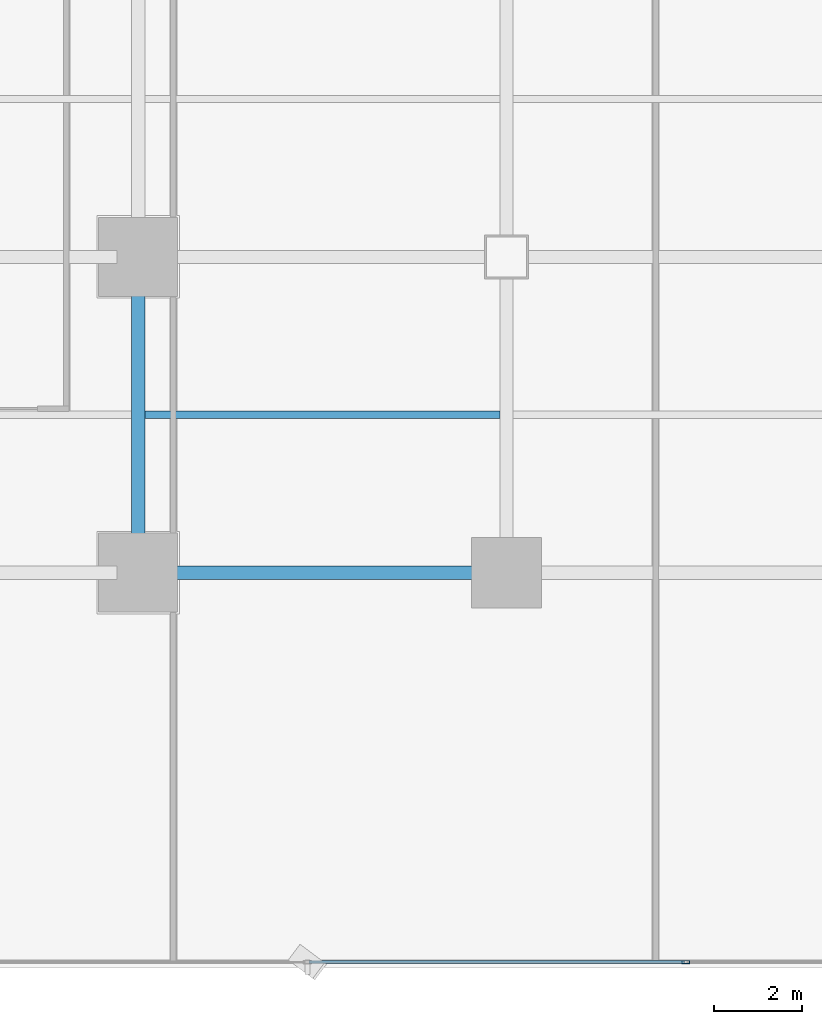
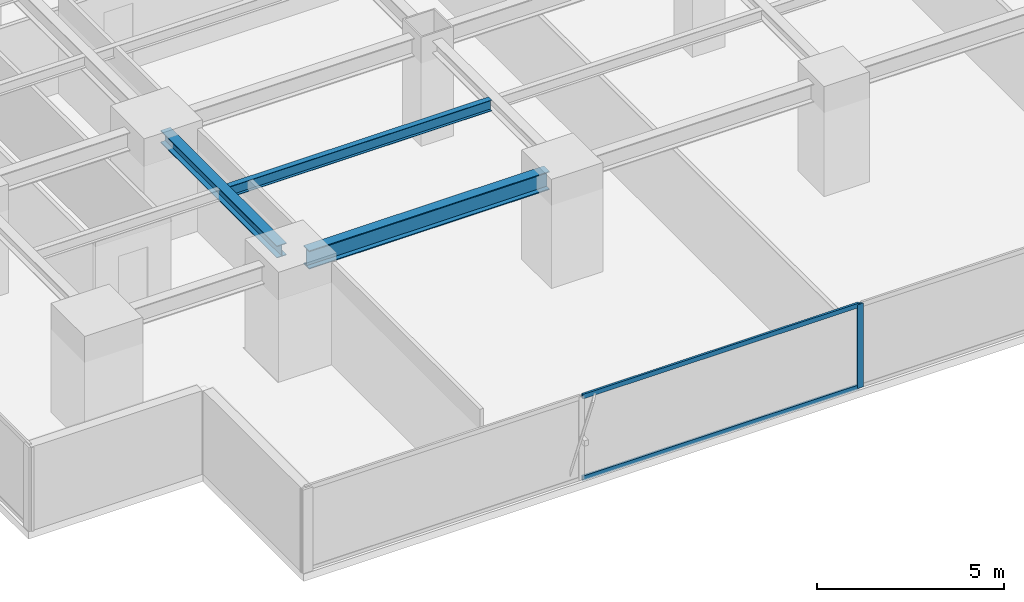
# One storey, part 4 of 33: 3 beams, 3 members, 1 element without a shape of its own.
"""IFC4 building model written with IfcOpenShell, lengths in metres."""

from ifc_helpers import new_model, si_unit, direction, frame, origin, origin_2d, place, context, subcontext, project, spatial, hollow_rectangle, i_section, extrude, source, transform, mapped, material, layer, layer_set, material_profile, profile_set, type_object, element, aggregate, save


model = new_model("IFC4")

# Units and contexts
model_context = context("Model", 3, precision=1e-05, world=origin(), true_north=direction((0.0, 1.0)))
body_context = subcontext(model_context, "Body", "Model", "MODEL_VIEW")
ifc_project = project(units=[si_unit("LENGTHUNIT", "METRE"), si_unit("AREAUNIT", "SQUARE_METRE"), si_unit("VOLUMEUNIT", "CUBIC_METRE"), si_unit("PLANEANGLEUNIT", "RADIAN"), si_unit("MASSUNIT", "GRAM", prefix="KILO")], contexts=[model_context])

# Site, building, storey
site_placement = place(None, origin())
site = spatial("IfcSite", under=ifc_project, at=site_placement, CompositionType="ELEMENT")
building_placement = place(site_placement, origin())
building = spatial("IfcBuilding", under=site, at=building_placement, Name="Sumidabori Civic Tower", CompositionType="ELEMENT")
storey_placement = place(building_placement, frame((0.0, 0.0, 30.800048828125)))
storey = spatial("IfcBuildingStorey", under=building, at=storey_placement, Name="L07", CompositionType="ELEMENT", Elevation=30.800048828125)

# Beams
ifc_material_1 = material(Name="Steel SN490", Category="steel")
ifc_material_profile_1 = material_profile(ifc_material_1, i_section(OverallWidth=0.300048828125, OverallDepth=0.60009765625, WebThickness=0.015380859375, FlangeThickness=0.030029296875, at=origin_2d()), Name="HE 600 B")
ifc_profile_set_1 = profile_set([ifc_material_profile_1], Name="Steel SN490")
beam_type_1 = type_object("IfcBeamType", Name="BM-GIRD-600", PredefinedType="BEAM", material=ifc_profile_set_1)
shared_shape_1 = source(origin(), body_context, "Body", "SweptSolid", [
    extrude(i_section(OverallWidth=0.300048828125, OverallDepth=0.60009765625, WebThickness=0.015380859375, FlangeThickness=0.030029296875, at=origin_2d()), origin(), (0.0, 0.0, 1.0), 7.440185546875),
])
beam_1_placement = place(storey_placement, frame((-16.320068359375, -18.0, 3.06005859375), z_axis=(1.0, 0.0, 0.0), x_axis=(0.0, 1.0, 0.0)))
element("IfcBeam", 1, at=beam_1_placement, inside=storey, type_object=beam_type_1, Name="Primary Girder L07 GX-02", PredefinedType="BEAM", context=body_context, shape_type="MappedRepresentation", body=[
    mapped(shared_shape_1, transform((0.0, 0.0, 0.0), x_axis=(1.0, 0.0, 0.0), y_axis=(0.0, 1.0, 0.0), z_axis=(0.0, 0.0, 1.0), scale=1.0)),
])
ifc_material_profile_2 = material_profile(ifc_material_1, i_section(OverallWidth=0.300048828125, OverallDepth=0.39990234375, WebThickness=0.013427734375, FlangeThickness=0.02392578125, at=origin_2d()), Name="HE 400 B")
ifc_profile_set_2 = profile_set([ifc_material_profile_2], Name="Steel SN490")
beam_type_2 = type_object("IfcBeamType", Name="BM-GIRD-400", PredefinedType="BEAM", material=ifc_profile_set_2)
shared_shape_2 = source(origin(), body_context, "Body", "SweptSolid", [
    extrude(i_section(OverallWidth=0.300048828125, OverallDepth=0.39990234375, WebThickness=0.013427734375, FlangeThickness=0.02392578125, at=origin_2d()), origin(), (0.0, 0.0, 1.0), 6.239990234375),
])
beam_2_placement = place(storey_placement, frame((-16.800048828125, -17.52001953125, 3.159912109375), z_axis=(0.0, 1.0, 0.0), x_axis=(-1.0, 0.0, 0.0)))
element("IfcBeam", 2, at=beam_2_placement, inside=storey, type_object=beam_type_2, Name="Primary Girder L07 GY-25", PredefinedType="BEAM", context=body_context, shape_type="MappedRepresentation", body=[
    mapped(shared_shape_2, transform((0.0, 0.0, 0.0), x_axis=(1.0, 0.0, 0.0), y_axis=(0.0, 1.0, 0.0), z_axis=(0.0, 0.0, 1.0), scale=1.0)),
])
ifc_material_profile_3 = material_profile(ifc_material_1, i_section(OverallWidth=0.169921875, OverallDepth=0.360107421875, WebThickness=0.008056640625, FlangeThickness=0.0126953125, at=origin_2d()), Name="IPE 360")
ifc_profile_set_3 = profile_set([ifc_material_profile_3], Name="Steel SN490")
beam_type_3 = type_object("IfcBeamType", Name="BM-JST-360", PredefinedType="JOIST", material=ifc_profile_set_3)
shared_shape_3 = source(origin(), body_context, "Body", "SweptSolid", [
    extrude(i_section(OverallWidth=0.169921875, OverallDepth=0.360107421875, WebThickness=0.008056640625, FlangeThickness=0.0126953125, at=origin_2d()), origin(), (0.0, 0.0, 1.0), 8.099853515625),
])
beam_3_placement = place(storey_placement, frame((-16.64990234375, -14.39990234375, 3.179931640625), z_axis=(1.0, 0.0, 0.0), x_axis=(0.0, 1.0, 0.0)))
element("IfcBeam", 3, at=beam_3_placement, inside=storey, type_object=beam_type_3, Name="South Bay Floor Joist L07 JSTS-61", PredefinedType="JOIST", context=body_context, shape_type="MappedRepresentation", body=[
    mapped(shared_shape_3, transform((0.0, 0.0, 0.0), x_axis=(1.0, 0.0, 0.0), y_axis=(0.0, 1.0, 0.0), z_axis=(0.0, 0.0, 1.0), scale=1.0)),
])

# Curtain wall, members
ifc_material_2 = material(Name="Anodised Bronze Aluminium AW-6063-T6", Category="aluminium")
ifc_layer = layer(ifc_material_2, 0.179931640625, Name="Anodised Bronze Aluminium AW-6063-T6")
ifc_layer_set = layer_set([ifc_layer], Name="Anodised Bronze Aluminium AW-6063-T6")
curtain_wall_type = type_object("IfcCurtainWallType", Name="CW-SYS-2", PredefinedType="NOTDEFINED", material=ifc_layer_set)
curtain_wall_placement = place(storey_placement, origin())
curtain_wall = element("IfcCurtainWall", 4, at=curtain_wall_placement, inside=storey, type_object=curtain_wall_type, Name="Curtain Wall CW:L07:R01", PredefinedType="NOTDEFINED")
ifc_material_profile_4 = material_profile(ifc_material_2, hollow_rectangle(XDim=0.070068359375, YDim=0.179931640625, WallThickness=0.006103515625, at=origin_2d()), Name="ALU MULLION 180x70")
ifc_profile_set_4 = profile_set([ifc_material_profile_4], Name="Anodised Bronze Aluminium AW-6063-T6")
member_type_1 = type_object("IfcMemberType", Name="CW-MUL-180", PredefinedType="MULLION", material=ifc_profile_set_4)
shared_shape_4 = source(origin(), body_context, "Body", "SweptSolid", [
    extrude(hollow_rectangle(XDim=0.070068359375, YDim=0.179931640625, WallThickness=0.006103515625, at=origin_2d()), origin(), (0.0, 0.0, 1.0), 2.739990234375),
])
member_1_placement = place(storey_placement, frame((-4.31396484375, -26.8798828125, 0.0), z_axis=(0.0, 0.0, 1.0), x_axis=(0.0, 1.0, 0.0)))
member_1 = element("IfcMember", 5, at=member_1_placement, type_object=member_type_1, Name="CW-2 mullion 3", PredefinedType="MULLION", context=body_context, shape_type="MappedRepresentation", body=[
    mapped(shared_shape_4, transform((0.0, 0.0, 0.0), x_axis=(1.0, 0.0, 0.0), y_axis=(0.0, 1.0, 0.0), z_axis=(0.0, 0.0, 1.0), scale=1.0)),
])
ifc_material_profile_5 = material_profile(ifc_material_2, hollow_rectangle(XDim=0.06494140625, YDim=0.14990234375, WallThickness=0.0048828125, at=origin_2d()), Name="ALU TRANSOM 150x65")
ifc_profile_set_5 = profile_set([ifc_material_profile_5], Name="Anodised Bronze Aluminium AW-6063-T6")
member_type_2 = type_object("IfcMemberType", Name="CW-TRN-150", PredefinedType="USERDEFINED", material=ifc_profile_set_5)
shared_shape_5 = source(origin(), body_context, "Body", "SweptSolid", [
    extrude(hollow_rectangle(XDim=0.06494140625, YDim=0.14990234375, WallThickness=0.0048828125, at=origin_2d()), origin(), (0.0, 0.0, 1.0), 8.557861328125),
])
member_2_placement = place(storey_placement, frame((-12.906982421875, -26.8798828125, 0.032470703125), z_axis=(1.0, 0.0, 0.0), x_axis=(0.0, 1.0, 0.0)))
member_2 = element("IfcMember", 6, at=member_2_placement, type_object=member_type_2, Name="CW-2 transom 2.1", ObjectType="TRANSOM", PredefinedType="USERDEFINED", context=body_context, shape_type="MappedRepresentation", body=[
    mapped(shared_shape_5, transform((0.0, 0.0, 0.0), x_axis=(1.0, 0.0, 0.0), y_axis=(0.0, 1.0, 0.0), z_axis=(0.0, 0.0, 1.0), scale=1.0)),
])
member_3_placement = place(storey_placement, frame((-12.906982421875, -26.8798828125, 2.70751953125), z_axis=(1.0, 0.0, 0.0), x_axis=(0.0, 1.0, 0.0)))
member_3 = element("IfcMember", 7, at=member_3_placement, type_object=member_type_2, Name="CW-2 transom 2.2", ObjectType="TRANSOM", PredefinedType="USERDEFINED", context=body_context, shape_type="MappedRepresentation", body=[
    mapped(shared_shape_5, transform((0.0, 0.0, 0.0), x_axis=(1.0, 0.0, 0.0), y_axis=(0.0, 1.0, 0.0), z_axis=(0.0, 0.0, 1.0), scale=1.0)),
])
aggregate(curtain_wall, [member_1, member_2, member_3])

save(model, "model.ifc")
